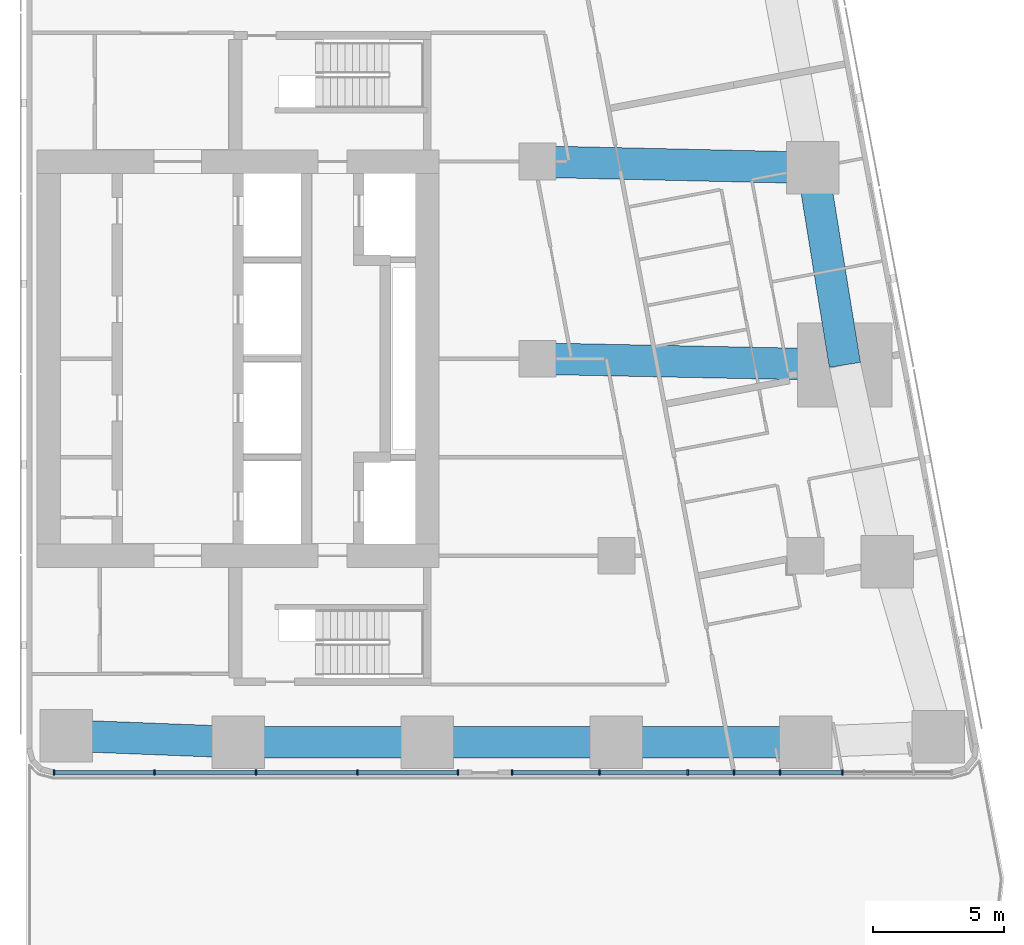
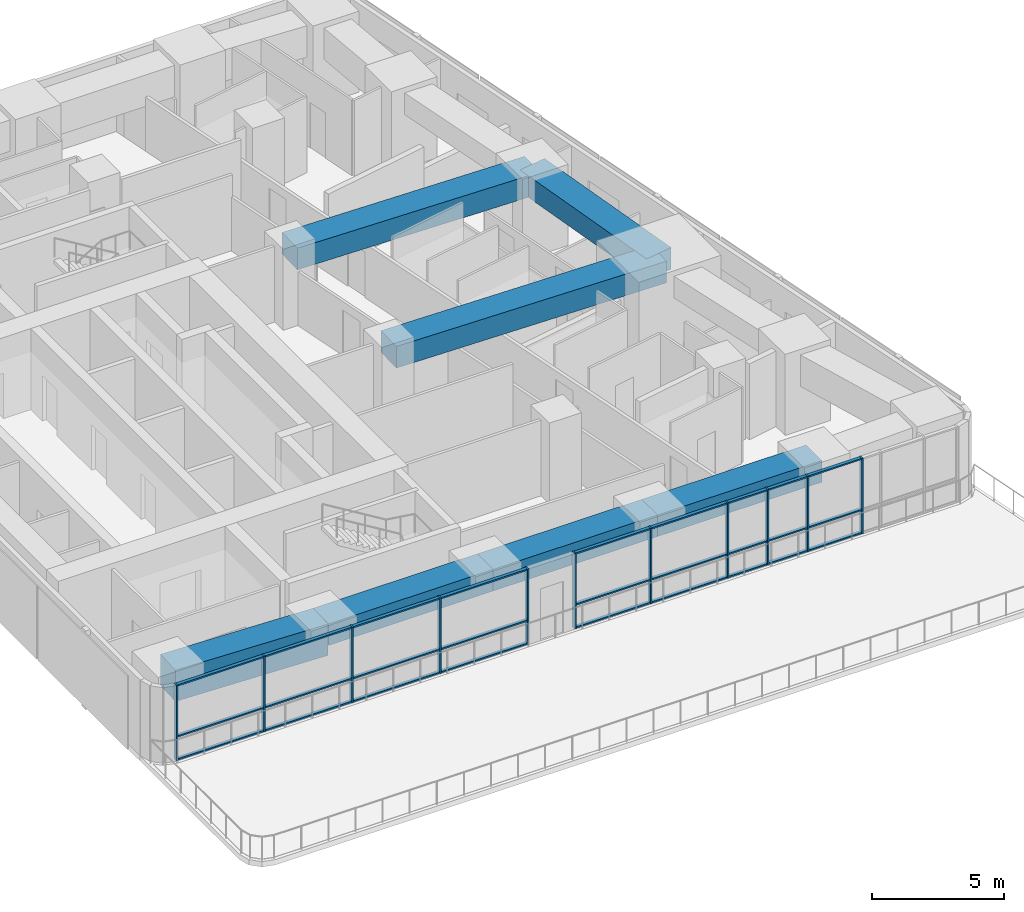
# One storey, part 2 of 12: 38 members, 7 beams, 2 elements without a shape of their own.
"""IFC4 building model written with IfcOpenShell, lengths in metres."""

from ifc_helpers import new_model, si_unit, direction, frame, origin, origin_2d, place, context, subcontext, project, spatial, rectangle, extrude, material, material_profile, profile_set, type_object, element, aggregate, save


model = new_model("IFC4")

# Units and contexts
model_context = context("Model", 3, precision=1e-05, world=origin(), true_north=direction((0.0, 1.0)))
body_context = subcontext(model_context, "Body", "Model", "MODEL_VIEW")
ifc_project = project(units=[si_unit("LENGTHUNIT", "METRE"), si_unit("AREAUNIT", "SQUARE_METRE"), si_unit("VOLUMEUNIT", "CUBIC_METRE"), si_unit("PLANEANGLEUNIT", "RADIAN"), si_unit("MASSUNIT", "GRAM", prefix="KILO")], contexts=[model_context])

# Site, building, storey
site_placement = place(None, origin())
site = spatial("IfcSite", under=ifc_project, at=site_placement, CompositionType="ELEMENT")
building_placement = place(site_placement, origin())
building = spatial("IfcBuilding", under=site, at=building_placement, Name="Sheger Commons Tower", CompositionType="ELEMENT")
storey_placement = place(building_placement, frame((0.0, 0.0, 251.60009765625)))
storey = spatial("IfcBuildingStorey", under=building, at=storey_placement, Name="L64", CompositionType="ELEMENT", Elevation=251.60009765625)

# Beams
ifc_material_1 = material(Name="Concrete C50/60", Category="concrete")
ifc_material_profile_1 = material_profile(ifc_material_1, rectangle(XDim=1.199951171875, YDim=1.0, at=origin_2d()), Name="RC 1200x1000")
ifc_profile_set_1 = profile_set([ifc_material_profile_1], Name="Concrete C50/60")
beam_type_1 = type_object("IfcBeamType", Name="BEAM RC 1200x1000", PredefinedType="BEAM", material=ifc_profile_set_1)
beam_1_placement = place(storey_placement, frame((33.0, 22.5, 3.0), z_axis=(0.999794692776, -0.02026258368, 0.0), x_axis=(0.02026258368, 0.999794692776, 0.0)))
element("IfcBeam", 1, at=beam_1_placement, inside=storey, type_object=beam_type_1, Name="Beam 6-3000/D-7/D under L65", PredefinedType="BEAM", context=body_context, shape_type="SweptSolid", body=[
    extrude(rectangle(XDim=1.199951171875, YDim=1.0, at=origin_2d()), origin(), (0.0, 0.0, 1.0), 11.699462890625),
])
beam_2_placement = place(storey_placement, frame((33.0, 30.0, 3.0), z_axis=(0.999744258625, -0.022614538395, 0.0), x_axis=(0.022614538395, 0.999744258625, 0.0)))
element("IfcBeam", 2, at=beam_2_placement, inside=storey, type_object=beam_type_1, Name="Beam 6-3000/E-E/E under L65", PredefinedType="BEAM", context=body_context, shape_type="SweptSolid", body=[
    extrude(rectangle(XDim=1.199951171875, YDim=1.0, at=origin_2d()), origin(), (0.0, 0.0, 1.0), 10.482666015625),
])

# Curtain wall, members
ifc_material_2 = material(Name="Black aluminium curtain wall, dark tinted glazing", Category="aluminium")
curtain_wall_type = type_object("IfcCurtainWallType", Name="CURTAIN WALL CW5 SOUTH GALLERY", PredefinedType="USERDEFINED", material=ifc_material_2)
curtain_wall_1_placement = place(storey_placement, origin())
curtain_wall_1 = element("IfcCurtainWall", 3, at=curtain_wall_1_placement, inside=storey, type_object=curtain_wall_type, Name="Curtain Wall Cw5 South Gallery S1 L64", ObjectType="UNITISED CURTAIN WALL", PredefinedType="USERDEFINED")
ifc_material_3 = material(Name="Black anodised aluminium", Category="aluminium")
ifc_material_profile_2 = material_profile(ifc_material_3, rectangle(XDim=0.199951171875, YDim=0.06494140625, at=origin_2d()), Name="AL 65x200")
ifc_profile_set_2 = profile_set([ifc_material_profile_2], Name="Black anodised aluminium")
member_type_1 = type_object("IfcMemberType", Name="MULLION AL 65x200", PredefinedType="MULLION", material=ifc_profile_set_2)
member_1_placement = place(storey_placement, frame((14.595458984375, 6.75, 0.0), z_axis=(0.0, 0.0, 1.0), x_axis=(0.0, 1.0, 0.0)))
member_1 = element("IfcMember", 4, at=member_1_placement, type_object=member_type_1, Name="CW5 mullion 1", PredefinedType="MULLION", context=body_context, shape_type="SweptSolid", body=[
    extrude(rectangle(XDim=0.199951171875, YDim=0.06494140625, at=origin_2d()), origin(), (0.0, 0.0, 1.0), 3.5),
])
member_2_placement = place(storey_placement, frame((18.42236328125, 6.75, 0.0), z_axis=(0.0, 0.0, 1.0), x_axis=(0.0, 1.0, 0.0)))
member_2 = element("IfcMember", 5, at=member_2_placement, type_object=member_type_1, Name="CW5 mullion 2", PredefinedType="MULLION", context=body_context, shape_type="SweptSolid", body=[
    extrude(rectangle(XDim=0.199951171875, YDim=0.06494140625, at=origin_2d()), origin(), (0.0, 0.0, 1.0), 3.5),
])
member_3_placement = place(storey_placement, frame((22.281494140625, 6.75, 0.0), z_axis=(0.0, 0.0, 1.0), x_axis=(0.0, 1.0, 0.0)))
member_3 = element("IfcMember", 6, at=member_3_placement, type_object=member_type_1, Name="CW5 mullion 3", PredefinedType="MULLION", context=body_context, shape_type="SweptSolid", body=[
    extrude(rectangle(XDim=0.199951171875, YDim=0.06494140625, at=origin_2d()), origin(), (0.0, 0.0, 1.0), 3.5),
])
member_4_placement = place(storey_placement, frame((26.140869140625, 6.75, 0.0), z_axis=(0.0, 0.0, 1.0), x_axis=(0.0, 1.0, 0.0)))
member_4 = element("IfcMember", 7, at=member_4_placement, type_object=member_type_1, Name="CW5 mullion 4", PredefinedType="MULLION", context=body_context, shape_type="SweptSolid", body=[
    extrude(rectangle(XDim=0.199951171875, YDim=0.06494140625, at=origin_2d()), origin(), (0.0, 0.0, 1.0), 3.5),
])
member_5_placement = place(storey_placement, frame((29.967529296875, 6.75, 0.0), z_axis=(0.0, 0.0, 1.0), x_axis=(0.0, 1.0, 0.0)))
member_5 = element("IfcMember", 8, at=member_5_placement, type_object=member_type_1, Name="CW5 mullion 5", PredefinedType="MULLION", context=body_context, shape_type="SweptSolid", body=[
    extrude(rectangle(XDim=0.199951171875, YDim=0.06494140625, at=origin_2d()), origin(), (0.0, 0.0, 1.0), 3.5),
])

curtain_wall_2_placement = place(storey_placement, origin())
curtain_wall_2 = element("IfcCurtainWall", 9, at=curtain_wall_2_placement, inside=storey, type_object=curtain_wall_type, Name="Curtain Wall Cw5 South Gallery S1 L64", ObjectType="UNITISED CURTAIN WALL", PredefinedType="USERDEFINED")
member_6_placement = place(storey_placement, frame((32.032470703125, 6.75, 0.0), z_axis=(0.0, 0.0, 1.0), x_axis=(0.0, 1.0, 0.0)))
member_6 = element("IfcMember", 10, at=member_6_placement, type_object=member_type_1, Name="CW5 mullion 1", PredefinedType="MULLION", context=body_context, shape_type="SweptSolid", body=[
    extrude(rectangle(XDim=0.199951171875, YDim=0.06494140625, at=origin_2d()), origin(), (0.0, 0.0, 1.0), 3.5),
])
member_7_placement = place(storey_placement, frame((35.35693359375, 6.75, 0.0), z_axis=(0.0, 0.0, 1.0), x_axis=(0.0, 1.0, 0.0)))
member_7 = element("IfcMember", 11, at=member_7_placement, type_object=member_type_1, Name="CW5 mullion 2", PredefinedType="MULLION", context=body_context, shape_type="SweptSolid", body=[
    extrude(rectangle(XDim=0.199951171875, YDim=0.06494140625, at=origin_2d()), origin(), (0.0, 0.0, 1.0), 3.5),
])
member_8_placement = place(storey_placement, frame((38.715087890625, 6.75, 0.0), z_axis=(0.0, 0.0, 1.0), x_axis=(0.0, 1.0, 0.0)))
member_8 = element("IfcMember", 12, at=member_8_placement, type_object=member_type_1, Name="CW5 mullion 3", PredefinedType="MULLION", context=body_context, shape_type="SweptSolid", body=[
    extrude(rectangle(XDim=0.199951171875, YDim=0.06494140625, at=origin_2d()), origin(), (0.0, 0.0, 1.0), 3.5),
])
member_9_placement = place(storey_placement, frame((40.47412109375, 6.75, 0.0), z_axis=(0.0, 0.0, 1.0), x_axis=(0.0, 1.0, 0.0)))
member_9 = element("IfcMember", 13, at=member_9_placement, type_object=member_type_1, Name="CW5 mullion 4", PredefinedType="MULLION", context=body_context, shape_type="SweptSolid", body=[
    extrude(rectangle(XDim=0.199951171875, YDim=0.06494140625, at=origin_2d()), origin(), (0.0, 0.0, 1.0), 3.5),
])
member_10_placement = place(storey_placement, frame((42.22802734375, 6.75, 0.0), z_axis=(0.0, 0.0, 1.0), x_axis=(0.0, 1.0, 0.0)))
member_10 = element("IfcMember", 14, at=member_10_placement, type_object=member_type_1, Name="CW5 mullion 5", PredefinedType="MULLION", context=body_context, shape_type="SweptSolid", body=[
    extrude(rectangle(XDim=0.199951171875, YDim=0.06494140625, at=origin_2d()), origin(), (0.0, 0.0, 1.0), 3.5),
])
member_11_placement = place(storey_placement, frame((44.60595703125, 6.75, 0.0), z_axis=(0.0, 0.0, 1.0), x_axis=(0.0, 1.0, 0.0)))
member_11 = element("IfcMember", 15, at=member_11_placement, type_object=member_type_1, Name="CW5 mullion 6", PredefinedType="MULLION", context=body_context, shape_type="SweptSolid", body=[
    extrude(rectangle(XDim=0.199951171875, YDim=0.06494140625, at=origin_2d()), origin(), (0.0, 0.0, 1.0), 3.5),
])

# Beams
ifc_material_4 = material(Name="Concrete C50/60", Category="concrete")
ifc_material_profile_3 = material_profile(ifc_material_4, rectangle(XDim=1.199951171875, YDim=1.0, at=origin_2d()), Name="RC 1200x1000")
ifc_profile_set_3 = profile_set([ifc_material_profile_3], Name="Concrete C50/60")
beam_type_2 = type_object("IfcBeamType", Name="SPANDREL RC 1200x1000", PredefinedType="SPANDREL", material=ifc_profile_set_3)
for number, where, z_axis, x_axis, name in (
    (16, (21.60009765625, 7.89990234375, 3.0), (1.0, 0.0, 0.0), (0.0, 1.0, 0.0), "Beam 4/B-5/B under L65"),
    (17, (28.800048828125, 7.89990234375, 3.0), (1.0, 0.0, 0.0), (0.0, 1.0, 0.0), "Beam 5/B-6/B under L65"),
    (18, (36.0, 7.89990234375, 3.0), (1.0, 0.0, 0.0), (0.0, 1.0, 0.0), "Beam 6/B-7/B under L65"),
):
    element("IfcBeam", number, at=place(storey_placement, frame(where, z_axis=z_axis, x_axis=x_axis)), inside=storey, type_object=beam_type_2, Name=name, PredefinedType="SPANDREL", context=body_context, shape_type="SweptSolid", body=[
        extrude(rectangle(XDim=1.199951171875, YDim=1.0, at=origin_2d()), origin(), (0.0, 0.0, 1.0), 7.199951171875),
    ])
beam_3_placement = place(storey_placement, frame((44.697021484375, 22.262939453125, 3.0), z_axis=(-0.160176929512, 0.987088319884, 0.0), x_axis=(-0.987088319884, -0.160176929512, 0.0)))
element("IfcBeam", 19, at=beam_3_placement, inside=storey, type_object=beam_type_2, Name="Beam E/D-E/E under L65", PredefinedType="SPANDREL", context=body_context, shape_type="SweptSolid", body=[
    extrude(rectangle(XDim=1.199951171875, YDim=1.0, at=origin_2d()), origin(), (0.0, 0.0, 1.0), 7.59814453125),
])
ifc_material_5 = material(Name="Concrete C50/60", Category="concrete")
ifc_material_profile_4 = material_profile(ifc_material_5, rectangle(XDim=1.199951171875, YDim=1.449951171875, at=origin_2d()), Name="RC 1200x1450")
ifc_profile_set_4 = profile_set([ifc_material_profile_4], Name="Concrete C50/60")
beam_type_3 = type_object("IfcBeamType", Name="SPANDREL RC 1200x1450", PredefinedType="SPANDREL", material=ifc_profile_set_4)
beam_4_placement = place(storey_placement, frame((15.053955078125, 8.154052734375, 2.77490234375), z_axis=(0.999247181966, -0.038795223079, 0.0), x_axis=(0.038795223079, 0.999247181966, 0.0)))
element("IfcBeam", 20, at=beam_4_placement, inside=storey, type_object=beam_type_3, Name="Beam 3/B-4/B under L65", PredefinedType="SPANDREL", context=body_context, shape_type="SweptSolid", body=[
    extrude(rectangle(XDim=1.199951171875, YDim=1.449951171875, at=origin_2d()), origin(), (0.0, 0.0, 1.0), 6.551025390625),
])

# Member
ifc_material_6 = material(Name="Black anodised aluminium", Category="aluminium")
ifc_material_profile_5 = material_profile(ifc_material_6, rectangle(XDim=0.14990234375, YDim=0.06494140625, at=origin_2d()), Name="AL 65x150")
ifc_profile_set_5 = profile_set([ifc_material_profile_5], Name="Black anodised aluminium")
member_type_2 = type_object("IfcMemberType", Name="TRANSOM AL 65x150", PredefinedType="USERDEFINED", material=ifc_profile_set_5)
member_12_placement = place(storey_placement, frame((14.6279296875, 6.75, 0.032470703125), z_axis=(1.0, 0.0, 0.0), x_axis=(0.0, 1.0, 0.0)))
member_12 = element("IfcMember", 21, at=member_12_placement, type_object=member_type_2, Name="CW5 transom 1.1", ObjectType="TRANSOM", PredefinedType="USERDEFINED", context=body_context, shape_type="SweptSolid", body=[
    extrude(rectangle(XDim=0.14990234375, YDim=0.06494140625, at=origin_2d()), origin(), (0.0, 0.0, 1.0), 3.76171875),
])

member_13_placement = place(storey_placement, frame((14.6279296875, 6.75, 1.099853515625), z_axis=(1.0, 0.0, 0.0), x_axis=(0.0, 1.0, 0.0)))
member_13 = element("IfcMember", 22, at=member_13_placement, type_object=member_type_2, Name="CW5 transom 1.2", ObjectType="TRANSOM", PredefinedType="USERDEFINED", context=body_context, shape_type="SweptSolid", body=[
    extrude(rectangle(XDim=0.14990234375, YDim=0.06494140625, at=origin_2d()), origin(), (0.0, 0.0, 1.0), 3.76171875),
])

member_14_placement = place(storey_placement, frame((14.6279296875, 6.75, 3.46728515625), z_axis=(1.0, 0.0, 0.0), x_axis=(0.0, 1.0, 0.0)))
member_14 = element("IfcMember", 23, at=member_14_placement, type_object=member_type_2, Name="CW5 transom 1.3", ObjectType="TRANSOM", PredefinedType="USERDEFINED", context=body_context, shape_type="SweptSolid", body=[
    extrude(rectangle(XDim=0.14990234375, YDim=0.06494140625, at=origin_2d()), origin(), (0.0, 0.0, 1.0), 3.76171875),
])

member_15_placement = place(storey_placement, frame((18.454833984375, 6.75, 0.032470703125), z_axis=(1.0, 0.0, 0.0), x_axis=(0.0, 1.0, 0.0)))
member_15 = element("IfcMember", 24, at=member_15_placement, type_object=member_type_2, Name="CW5 transom 2.1", ObjectType="TRANSOM", PredefinedType="USERDEFINED", context=body_context, shape_type="SweptSolid", body=[
    extrude(rectangle(XDim=0.14990234375, YDim=0.06494140625, at=origin_2d()), origin(), (0.0, 0.0, 1.0), 3.794189453125),
])

member_16_placement = place(storey_placement, frame((18.454833984375, 6.75, 1.099853515625), z_axis=(1.0, 0.0, 0.0), x_axis=(0.0, 1.0, 0.0)))
member_16 = element("IfcMember", 25, at=member_16_placement, type_object=member_type_2, Name="CW5 transom 2.2", ObjectType="TRANSOM", PredefinedType="USERDEFINED", context=body_context, shape_type="SweptSolid", body=[
    extrude(rectangle(XDim=0.14990234375, YDim=0.06494140625, at=origin_2d()), origin(), (0.0, 0.0, 1.0), 3.794189453125),
])

member_17_placement = place(storey_placement, frame((18.454833984375, 6.75, 3.46728515625), z_axis=(1.0, 0.0, 0.0), x_axis=(0.0, 1.0, 0.0)))
member_17 = element("IfcMember", 26, at=member_17_placement, type_object=member_type_2, Name="CW5 transom 2.3", ObjectType="TRANSOM", PredefinedType="USERDEFINED", context=body_context, shape_type="SweptSolid", body=[
    extrude(rectangle(XDim=0.14990234375, YDim=0.06494140625, at=origin_2d()), origin(), (0.0, 0.0, 1.0), 3.794189453125),
])

member_18_placement = place(storey_placement, frame((22.31396484375, 6.75, 0.032470703125), z_axis=(1.0, 0.0, 0.0), x_axis=(0.0, 1.0, 0.0)))
member_18 = element("IfcMember", 27, at=member_18_placement, type_object=member_type_2, Name="CW5 transom 3.1", ObjectType="TRANSOM", PredefinedType="USERDEFINED", context=body_context, shape_type="SweptSolid", body=[
    extrude(rectangle(XDim=0.14990234375, YDim=0.06494140625, at=origin_2d()), origin(), (0.0, 0.0, 1.0), 3.794189453125),
])

member_19_placement = place(storey_placement, frame((22.31396484375, 6.75, 1.099853515625), z_axis=(1.0, 0.0, 0.0), x_axis=(0.0, 1.0, 0.0)))
member_19 = element("IfcMember", 28, at=member_19_placement, type_object=member_type_2, Name="CW5 transom 3.2", ObjectType="TRANSOM", PredefinedType="USERDEFINED", context=body_context, shape_type="SweptSolid", body=[
    extrude(rectangle(XDim=0.14990234375, YDim=0.06494140625, at=origin_2d()), origin(), (0.0, 0.0, 1.0), 3.794189453125),
])

member_20_placement = place(storey_placement, frame((22.31396484375, 6.75, 3.46728515625), z_axis=(1.0, 0.0, 0.0), x_axis=(0.0, 1.0, 0.0)))
member_20 = element("IfcMember", 29, at=member_20_placement, type_object=member_type_2, Name="CW5 transom 3.3", ObjectType="TRANSOM", PredefinedType="USERDEFINED", context=body_context, shape_type="SweptSolid", body=[
    extrude(rectangle(XDim=0.14990234375, YDim=0.06494140625, at=origin_2d()), origin(), (0.0, 0.0, 1.0), 3.794189453125),
])

member_21_placement = place(storey_placement, frame((26.17333984375, 6.75, 0.032470703125), z_axis=(1.0, 0.0, 0.0), x_axis=(0.0, 1.0, 0.0)))
member_21 = element("IfcMember", 30, at=member_21_placement, type_object=member_type_2, Name="CW5 transom 4.1", ObjectType="TRANSOM", PredefinedType="USERDEFINED", context=body_context, shape_type="SweptSolid", body=[
    extrude(rectangle(XDim=0.14990234375, YDim=0.06494140625, at=origin_2d()), origin(), (0.0, 0.0, 1.0), 3.76171875),
])

member_22_placement = place(storey_placement, frame((26.17333984375, 6.75, 1.099853515625), z_axis=(1.0, 0.0, 0.0), x_axis=(0.0, 1.0, 0.0)))
member_22 = element("IfcMember", 31, at=member_22_placement, type_object=member_type_2, Name="CW5 transom 4.2", ObjectType="TRANSOM", PredefinedType="USERDEFINED", context=body_context, shape_type="SweptSolid", body=[
    extrude(rectangle(XDim=0.14990234375, YDim=0.06494140625, at=origin_2d()), origin(), (0.0, 0.0, 1.0), 3.76171875),
])

member_23_placement = place(storey_placement, frame((26.17333984375, 6.75, 3.46728515625), z_axis=(1.0, 0.0, 0.0), x_axis=(0.0, 1.0, 0.0)))
member_23 = element("IfcMember", 32, at=member_23_placement, type_object=member_type_2, Name="CW5 transom 4.3", ObjectType="TRANSOM", PredefinedType="USERDEFINED", context=body_context, shape_type="SweptSolid", body=[
    extrude(rectangle(XDim=0.14990234375, YDim=0.06494140625, at=origin_2d()), origin(), (0.0, 0.0, 1.0), 3.76171875),
])

aggregate(curtain_wall_1, [member_1, member_2, member_3, member_4, member_5, member_12, member_13, member_14, member_15, member_16, member_17, member_18, member_19, member_20, member_21, member_22, member_23])

member_24_placement = place(storey_placement, frame((32.06494140625, 6.75, 0.032470703125), z_axis=(1.0, 0.0, 0.0), x_axis=(0.0, 1.0, 0.0)))
member_24 = element("IfcMember", 33, at=member_24_placement, type_object=member_type_2, Name="CW5 transom 1.1", ObjectType="TRANSOM", PredefinedType="USERDEFINED", context=body_context, shape_type="SweptSolid", body=[
    extrude(rectangle(XDim=0.14990234375, YDim=0.06494140625, at=origin_2d()), origin(), (0.0, 0.0, 1.0), 3.259521484375),
])

member_25_placement = place(storey_placement, frame((32.06494140625, 6.75, 1.099853515625), z_axis=(1.0, 0.0, 0.0), x_axis=(0.0, 1.0, 0.0)))
member_25 = element("IfcMember", 34, at=member_25_placement, type_object=member_type_2, Name="CW5 transom 1.2", ObjectType="TRANSOM", PredefinedType="USERDEFINED", context=body_context, shape_type="SweptSolid", body=[
    extrude(rectangle(XDim=0.14990234375, YDim=0.06494140625, at=origin_2d()), origin(), (0.0, 0.0, 1.0), 3.259521484375),
])

member_26_placement = place(storey_placement, frame((32.06494140625, 6.75, 3.46728515625), z_axis=(1.0, 0.0, 0.0), x_axis=(0.0, 1.0, 0.0)))
member_26 = element("IfcMember", 35, at=member_26_placement, type_object=member_type_2, Name="CW5 transom 1.3", ObjectType="TRANSOM", PredefinedType="USERDEFINED", context=body_context, shape_type="SweptSolid", body=[
    extrude(rectangle(XDim=0.14990234375, YDim=0.06494140625, at=origin_2d()), origin(), (0.0, 0.0, 1.0), 3.259521484375),
])

member_27_placement = place(storey_placement, frame((35.389404296875, 6.75, 0.032470703125), z_axis=(1.0, 0.0, 0.0), x_axis=(0.0, 1.0, 0.0)))
member_27 = element("IfcMember", 36, at=member_27_placement, type_object=member_type_2, Name="CW5 transom 2.1", ObjectType="TRANSOM", PredefinedType="USERDEFINED", context=body_context, shape_type="SweptSolid", body=[
    extrude(rectangle(XDim=0.14990234375, YDim=0.06494140625, at=origin_2d()), origin(), (0.0, 0.0, 1.0), 3.293212890625),
])

member_28_placement = place(storey_placement, frame((35.389404296875, 6.75, 1.099853515625), z_axis=(1.0, 0.0, 0.0), x_axis=(0.0, 1.0, 0.0)))
member_28 = element("IfcMember", 37, at=member_28_placement, type_object=member_type_2, Name="CW5 transom 2.2", ObjectType="TRANSOM", PredefinedType="USERDEFINED", context=body_context, shape_type="SweptSolid", body=[
    extrude(rectangle(XDim=0.14990234375, YDim=0.06494140625, at=origin_2d()), origin(), (0.0, 0.0, 1.0), 3.293212890625),
])

member_29_placement = place(storey_placement, frame((35.389404296875, 6.75, 3.46728515625), z_axis=(1.0, 0.0, 0.0), x_axis=(0.0, 1.0, 0.0)))
member_29 = element("IfcMember", 38, at=member_29_placement, type_object=member_type_2, Name="CW5 transom 2.3", ObjectType="TRANSOM", PredefinedType="USERDEFINED", context=body_context, shape_type="SweptSolid", body=[
    extrude(rectangle(XDim=0.14990234375, YDim=0.06494140625, at=origin_2d()), origin(), (0.0, 0.0, 1.0), 3.293212890625),
])

member_30_placement = place(storey_placement, frame((38.74755859375, 6.75, 0.032470703125), z_axis=(1.0, 0.0, 0.0), x_axis=(0.0, 1.0, 0.0)))
member_30 = element("IfcMember", 39, at=member_30_placement, type_object=member_type_2, Name="CW5 transom 3.1", ObjectType="TRANSOM", PredefinedType="USERDEFINED", context=body_context, shape_type="SweptSolid", body=[
    extrude(rectangle(XDim=0.14990234375, YDim=0.06494140625, at=origin_2d()), origin(), (0.0, 0.0, 1.0), 1.69384765625),
])

member_31_placement = place(storey_placement, frame((38.74755859375, 6.75, 1.099853515625), z_axis=(1.0, 0.0, 0.0), x_axis=(0.0, 1.0, 0.0)))
member_31 = element("IfcMember", 40, at=member_31_placement, type_object=member_type_2, Name="CW5 transom 3.2", ObjectType="TRANSOM", PredefinedType="USERDEFINED", context=body_context, shape_type="SweptSolid", body=[
    extrude(rectangle(XDim=0.14990234375, YDim=0.06494140625, at=origin_2d()), origin(), (0.0, 0.0, 1.0), 1.69384765625),
])

member_32_placement = place(storey_placement, frame((38.74755859375, 6.75, 3.46728515625), z_axis=(1.0, 0.0, 0.0), x_axis=(0.0, 1.0, 0.0)))
member_32 = element("IfcMember", 41, at=member_32_placement, type_object=member_type_2, Name="CW5 transom 3.3", ObjectType="TRANSOM", PredefinedType="USERDEFINED", context=body_context, shape_type="SweptSolid", body=[
    extrude(rectangle(XDim=0.14990234375, YDim=0.06494140625, at=origin_2d()), origin(), (0.0, 0.0, 1.0), 1.69384765625),
])

member_33_placement = place(storey_placement, frame((40.506591796875, 6.75, 0.032470703125), z_axis=(1.0, 0.0, 0.0), x_axis=(0.0, 1.0, 0.0)))
member_33 = element("IfcMember", 42, at=member_33_placement, type_object=member_type_2, Name="CW5 transom 4.1", ObjectType="TRANSOM", PredefinedType="USERDEFINED", context=body_context, shape_type="SweptSolid", body=[
    extrude(rectangle(XDim=0.14990234375, YDim=0.06494140625, at=origin_2d()), origin(), (0.0, 0.0, 1.0), 1.68896484375),
])

member_34_placement = place(storey_placement, frame((40.506591796875, 6.75, 1.099853515625), z_axis=(1.0, 0.0, 0.0), x_axis=(0.0, 1.0, 0.0)))
member_34 = element("IfcMember", 43, at=member_34_placement, type_object=member_type_2, Name="CW5 transom 4.2", ObjectType="TRANSOM", PredefinedType="USERDEFINED", context=body_context, shape_type="SweptSolid", body=[
    extrude(rectangle(XDim=0.14990234375, YDim=0.06494140625, at=origin_2d()), origin(), (0.0, 0.0, 1.0), 1.68896484375),
])

member_35_placement = place(storey_placement, frame((40.506591796875, 6.75, 3.46728515625), z_axis=(1.0, 0.0, 0.0), x_axis=(0.0, 1.0, 0.0)))
member_35 = element("IfcMember", 44, at=member_35_placement, type_object=member_type_2, Name="CW5 transom 4.3", ObjectType="TRANSOM", PredefinedType="USERDEFINED", context=body_context, shape_type="SweptSolid", body=[
    extrude(rectangle(XDim=0.14990234375, YDim=0.06494140625, at=origin_2d()), origin(), (0.0, 0.0, 1.0), 1.68896484375),
])

member_36_placement = place(storey_placement, frame((42.260498046875, 6.75, 0.032470703125), z_axis=(1.0, 0.0, 0.0), x_axis=(0.0, 1.0, 0.0)))
member_36 = element("IfcMember", 45, at=member_36_placement, type_object=member_type_2, Name="CW5 transom 5.1", ObjectType="TRANSOM", PredefinedType="USERDEFINED", context=body_context, shape_type="SweptSolid", body=[
    extrude(rectangle(XDim=0.14990234375, YDim=0.06494140625, at=origin_2d()), origin(), (0.0, 0.0, 1.0), 2.31298828125),
])

member_37_placement = place(storey_placement, frame((42.260498046875, 6.75, 1.099853515625), z_axis=(1.0, 0.0, 0.0), x_axis=(0.0, 1.0, 0.0)))
member_37 = element("IfcMember", 46, at=member_37_placement, type_object=member_type_2, Name="CW5 transom 5.2", ObjectType="TRANSOM", PredefinedType="USERDEFINED", context=body_context, shape_type="SweptSolid", body=[
    extrude(rectangle(XDim=0.14990234375, YDim=0.06494140625, at=origin_2d()), origin(), (0.0, 0.0, 1.0), 2.31298828125),
])

member_38_placement = place(storey_placement, frame((42.260498046875, 6.75, 3.46728515625), z_axis=(1.0, 0.0, 0.0), x_axis=(0.0, 1.0, 0.0)))
member_38 = element("IfcMember", 47, at=member_38_placement, type_object=member_type_2, Name="CW5 transom 5.3", ObjectType="TRANSOM", PredefinedType="USERDEFINED", context=body_context, shape_type="SweptSolid", body=[
    extrude(rectangle(XDim=0.14990234375, YDim=0.06494140625, at=origin_2d()), origin(), (0.0, 0.0, 1.0), 2.31298828125),
])

aggregate(curtain_wall_2, [member_6, member_7, member_8, member_9, member_10, member_11, member_24, member_25, member_26, member_27, member_28, member_29, member_30, member_31, member_32, member_33, member_34, member_35, member_36, member_37, member_38])

save(model, "model.ifc")
